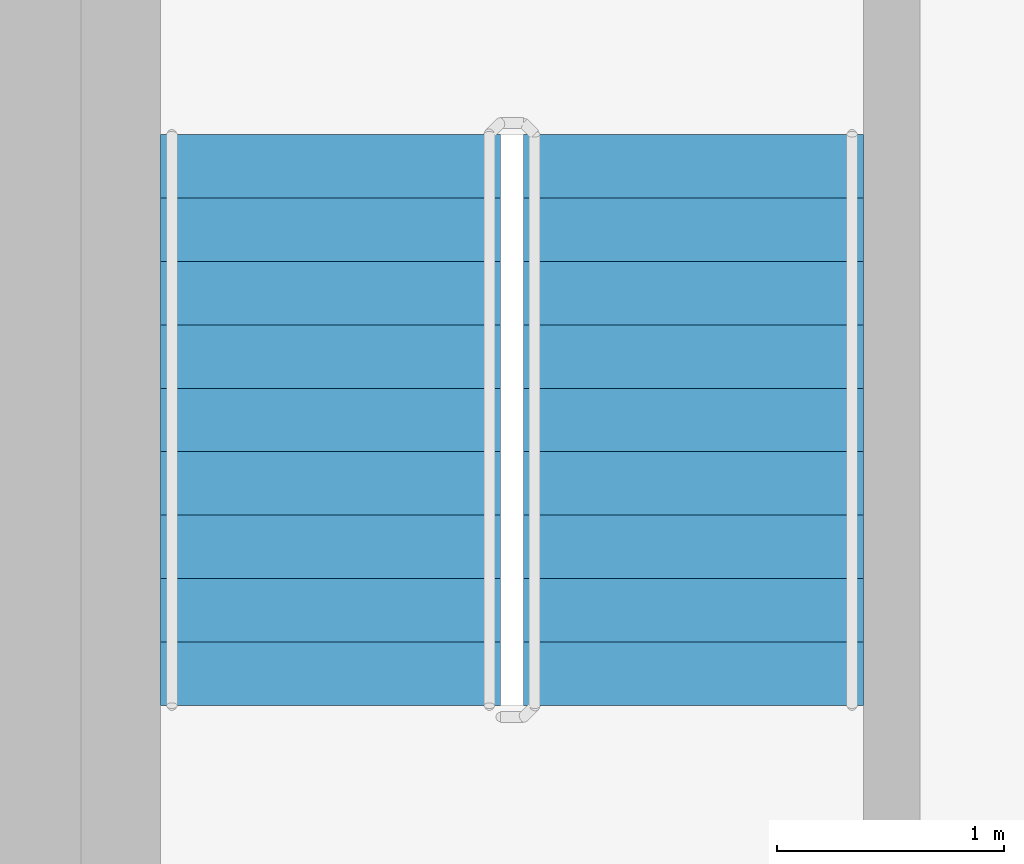
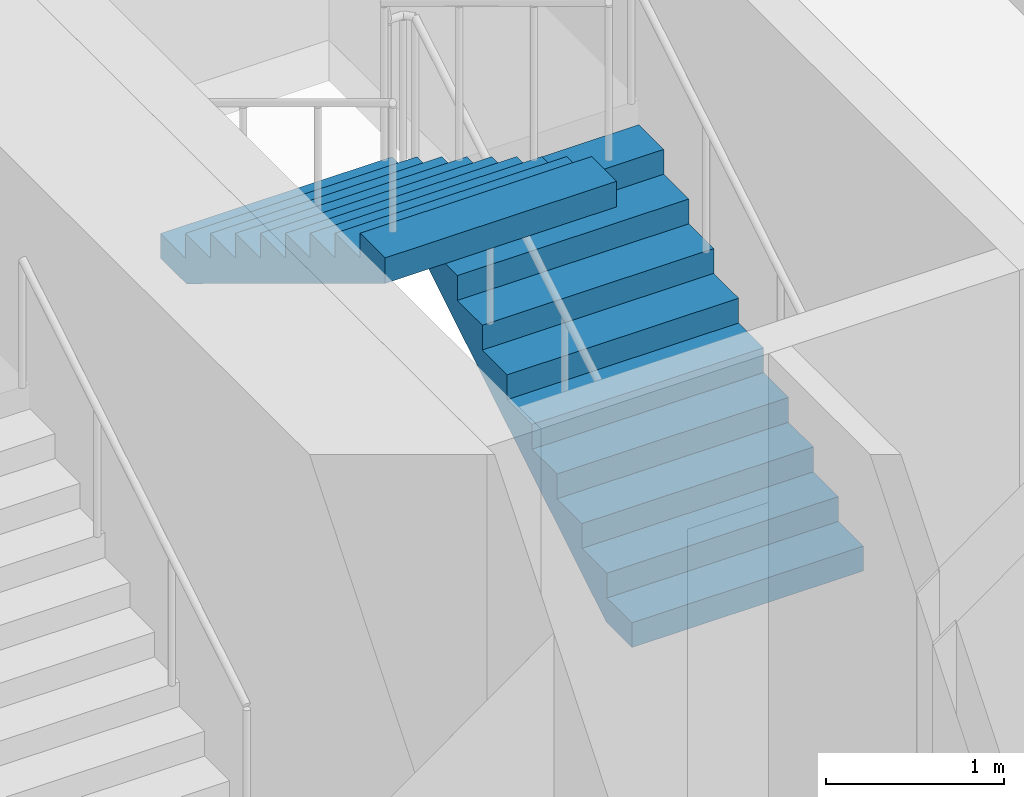
# One storey, part 14 of 24: 2 stair flights, 1 element without a shape of its own.
"""IFC4 building model written with IfcOpenShell, lengths in metres."""

import ifcopenshell
import ifcopenshell.guid

model = None  # the IFC model being written
_history = None  # IfcOwnerHistory: only IFC2X3 demands one
_inside = {}  # id of a spatial element -> (the spatial element, [elements in it])
_under = {}  # id of a project, library or spatial element -> (it, [spatial elements below it])
_declared = {}  # id of a project -> (the project, [libraries it declares])
_typed = {}  # id of a type object -> (the type object, [elements of that type])
_made_of = {}  # id of a material, layer set ... -> (it, [elements and type objects made of it])


def new_model(schema):
    """Start an empty IFC model of exactly this schema.

    Asked for "IFC4X3", IfcOpenShell would pick the latest addendum, in which some entities
    have other attributes; the version numbers below select the first issue.
    IFC2X3 requires an IfcOwnerHistory on every rooted entity: one is made here for all.
    """
    global model, _history
    if schema == "IFC4X3":
        model = ifcopenshell.file(schema_version=(4, 3, 0, 0))
    else:
        model = ifcopenshell.file(schema=schema)
    _inside.clear()
    _under.clear()
    _declared.clear()
    _typed.clear()
    _made_of.clear()
    _history = None
    if model.schema == "IFC2X3":
        org = make("IfcOrganization", Name="unknown")
        user = make(
            "IfcPersonAndOrganization",
            ThePerson=make("IfcPerson", FamilyName="unknown"),
            TheOrganization=org,
        )
        app = make(
            "IfcApplication",
            ApplicationDeveloper=org,
            Version="unknown",
            ApplicationFullName="unknown",
            ApplicationIdentifier="unknown",
        )
        _history = make(
            "IfcOwnerHistory",
            OwningUser=user,
            OwningApplication=app,
            ChangeAction="ADDED",
            CreationDate=0,
        )
    return model


def make(cls, **values):
    """One entity of the class cls with the attributes given. An attribute that is None is left unset."""
    return model.create_entity(
        cls, **{name: value for name, value in values.items() if value is not None}
    )


def rooted(cls, **values):
    """An entity with a GlobalId (a new one), such as an element, a storey or a relation."""
    return make(cls, GlobalId=ifcopenshell.guid.new(), OwnerHistory=_history, **values)


def si_unit(unit_type, name, prefix=None):
    """IfcSIUnit, for example si_unit("LENGTHUNIT", "METRE", prefix="MILLI")."""
    return make("IfcSIUnit", UnitType=unit_type, Prefix=prefix, Name=name)


def assignment(units):
    """IfcUnitAssignment: the units of a project."""
    return None if units is None else make("IfcUnitAssignment", Units=units)


def point(xyz):
    """IfcCartesianPoint."""
    return None if xyz is None else make("IfcCartesianPoint", Coordinates=xyz)


def direction(xyz):
    """IfcDirection."""
    return None if xyz is None else make("IfcDirection", DirectionRatios=xyz)


def frame(location, z_axis=None, x_axis=None):
    """IfcAxis2Placement3D, a coordinate frame: its origin and axes. An axis left out is left unset."""
    return make(
        "IfcAxis2Placement3D",
        Location=point(location),
        Axis=direction(z_axis),
        RefDirection=direction(x_axis),
    )


def origin():
    """The frame at (0, 0, 0) with its axes left unset."""
    return frame((0.0, 0.0, 0.0))


def place(relative_to, where):
    """IfcLocalPlacement: puts the frame where relative to a parent placement (None: the world)."""
    return make(
        "IfcLocalPlacement", PlacementRelTo=relative_to, RelativePlacement=where
    )


def context(
    kind, dimensions, precision=None, world=None, true_north=None, identifier=None
):
    """IfcGeometricRepresentationContext, for example the 3D "Model" context."""
    return make(
        "IfcGeometricRepresentationContext",
        ContextIdentifier=identifier,
        ContextType=kind,
        CoordinateSpaceDimension=dimensions,
        Precision=precision,
        WorldCoordinateSystem=world,
        TrueNorth=true_north,
    )


def subcontext(parent, identifier, kind, view, scale=None):
    """IfcGeometricRepresentationSubContext, for example "Body" below "Model"."""
    return make(
        "IfcGeometricRepresentationSubContext",
        ContextIdentifier=identifier,
        ContextType=kind,
        ParentContext=parent,
        TargetScale=scale,
        TargetView=view,
    )


def project(units=None, contexts=None):
    """IfcProject with its units and contexts."""
    return rooted(
        "IfcProject",
        Name="project",
        RepresentationContexts=contexts,
        UnitsInContext=assignment(units),
    )


def spatial(cls, under=None, at=None, **own):
    """A site, building, storey or space (cls), placed at a placement, below another one or the project."""
    s = rooted(cls, ObjectPlacement=at, **own)
    if under is not None:
        _under.setdefault(under.id(), (under, []))[1].append(s)
    return s


def point_list(points):
    """IfcCartesianPointList2D or 3D."""
    cls = (
        "IfcCartesianPointList2D" if len(points[0]) == 2 else "IfcCartesianPointList3D"
    )
    return make(cls, CoordList=points)


def triangles(points, corners, closed=None, point_numbers=None):
    """IfcTriangulatedFaceSet: each triangle names its three corners, points numbered from 1."""
    return make(
        "IfcTriangulatedFaceSet",
        Coordinates=point_list(points),
        Closed=closed,
        CoordIndex=corners,
        PnIndex=point_numbers,
    )


def shape(context_of_items, identifier, shape_type, items):
    """IfcShapeRepresentation: the items that make up one representation, for example the "Body"."""
    return make(
        "IfcShapeRepresentation",
        ContextOfItems=context_of_items,
        RepresentationIdentifier=identifier,
        RepresentationType=shape_type,
        Items=items,
    )


def source(mapping_origin, context_of_items, identifier, shape_type, items):
    """IfcRepresentationMap: a shape defined once, which mapped items show again and again."""
    return make(
        "IfcRepresentationMap",
        MappingOrigin=mapping_origin,
        MappedRepresentation=shape(context_of_items, identifier, shape_type, items),
    )


def transform(
    local_origin,
    x_axis=None,
    y_axis=None,
    z_axis=None,
    scale=None,
    scale2=None,
    scale3=None,
    uniform=True,
):
    """IfcCartesianTransformationOperator3D, or its non-uniform kind. x_axis, y_axis, z_axis: its Axis1, 2, 3."""
    if uniform:
        return make(
            "IfcCartesianTransformationOperator3D",
            Axis1=direction(x_axis),
            Axis2=direction(y_axis),
            LocalOrigin=point(local_origin),
            Scale=scale,
            Axis3=direction(z_axis),
        )
    return make(
        "IfcCartesianTransformationOperator3DnonUniform",
        Axis1=direction(x_axis),
        Axis2=direction(y_axis),
        LocalOrigin=point(local_origin),
        Scale=scale,
        Axis3=direction(z_axis),
        Scale2=scale2,
        Scale3=scale3,
    )


def mapped(mapping_source, mapping_target):
    """IfcMappedItem: shows the shape of a source again, moved by a transform."""
    return make(
        "IfcMappedItem", MappingSource=mapping_source, MappingTarget=mapping_target
    )


def material(Name=None, Category=None):
    """IfcMaterial."""
    return make("IfcMaterial", Name=Name, Category=Category)


def made_of(thing, what):
    """Note that an element or type object is made of a material, layer set ...; save() writes the relation."""
    if what is not None:
        _made_of.setdefault(what.id(), (what, []))[1].append(thing)
    return thing


def type_object(cls, material=None, **own):
    """A type object (cls), such as IfcWallType, which elements share."""
    return made_of(rooted(cls, **own), material)


def element(
    cls,
    number,
    at=None,
    inside=None,
    cuts=None,
    type_object=None,
    material=None,
    context=None,
    identifier="Body",
    shape_type=None,
    held_by="IfcProductDefinitionShape",
    body=None,
    shapes=None,
    **own,
):
    """One element of the class cls, such as IfcWall. Its Tag is "e" and its number.

    at: its placement. inside: the storey or other place that contains it. cuts: it is an
    opening in that element (IfcRelVoidsElement). A single representation is given by context,
    identifier, shape_type and body (its items); several are given by shapes. held_by: the class
    of the entity that holds the representations. save() writes the other relations.
    """
    e = rooted(cls, Tag="e%d" % number, ObjectPlacement=at, **own)
    if body is not None:
        shapes = [shape(context, identifier, shape_type, body)]
    if shapes is not None:
        e.Representation = make(held_by, Representations=shapes)
    if inside is not None:
        _inside.setdefault(inside.id(), (inside, []))[1].append(e)
    if cuts is not None:
        rooted(
            "IfcRelVoidsElement", RelatingBuildingElement=cuts, RelatedOpeningElement=e
        )
    if type_object is not None:
        _typed.setdefault(type_object.id(), (type_object, []))[1].append(e)
    return made_of(e, material)


def aggregate(whole, parts):
    """IfcRelAggregates: a whole, such as a stair, and the parts it consists of."""
    return rooted("IfcRelAggregates", RelatingObject=whole, RelatedObjects=parts)


def save(model, path):
    """Write the relations noted so far, then the file.

    IfcRelAggregates (storeys below a building ...), IfcRelContainedInSpatialStructure (elements
    in a storey), IfcRelDefinesByType, IfcRelAssociatesMaterial and IfcRelDeclares: one each for
    every whole, place, type object, material and project.
    """
    for whole, parts in _under.values():
        aggregate(whole, parts)
    for where, things in _inside.values():
        rooted(
            "IfcRelContainedInSpatialStructure",
            RelatedElements=things,
            RelatingStructure=where,
        )
    for kind, things in _typed.values():
        rooted("IfcRelDefinesByType", RelatedObjects=things, RelatingType=kind)
    for what, things in _made_of.values():
        rooted("IfcRelAssociatesMaterial", RelatedObjects=things, RelatingMaterial=what)
    for by, libraries in _declared.values():
        rooted("IfcRelDeclares", RelatingContext=by, RelatedDefinitions=libraries)
    model.write(path)


model = new_model("IFC4")

# Units and contexts
model_context = context("Model", 3, precision=1e-05, world=origin(), true_north=direction((0.0, 1.0)))
body_context = subcontext(model_context, "Body", "Model", "MODEL_VIEW")
ifc_project = project(units=[si_unit("LENGTHUNIT", "METRE"), si_unit("AREAUNIT", "SQUARE_METRE"), si_unit("VOLUMEUNIT", "CUBIC_METRE"), si_unit("PLANEANGLEUNIT", "RADIAN"), si_unit("MASSUNIT", "GRAM", prefix="KILO")], contexts=[model_context])

# Site, building, storey
site_placement = place(None, origin())
site = spatial("IfcSite", under=ifc_project, at=site_placement, CompositionType="ELEMENT")
building_placement = place(site_placement, origin())
building = spatial("IfcBuilding", under=site, at=building_placement, Name="Kilnfold Tower and Market Hall", CompositionType="ELEMENT")
storey_placement = place(building_placement, frame((0.0, 0.0, 175.300048828125)))
storey = spatial("IfcBuildingStorey", under=building, at=storey_placement, Name="L41", CompositionType="ELEMENT", Elevation=175.300048828125)

# Stair, stair flights
ifc_material_1 = material(Name="Concrete C40/50", Category="concrete")
stair_type = type_object("IfcStairType", Name="CORE STAIR 1500", PredefinedType="HALF_TURN_STAIR", material=ifc_material_1)
stair_placement = place(storey_placement, origin())
stair = element("IfcStair", 1, at=stair_placement, inside=storey, type_object=stair_type, Name="L41 ST5", PredefinedType="HALF_TURN_STAIR")
ifc_material_2 = material(Name="Concrete C40/50", Category="concrete")
stair_flight_type = type_object("IfcStairFlightType", Name="CORE STAIR FLIGHT 1500", PredefinedType="STRAIGHT", material=ifc_material_2)
shared_shape = source(origin(), body_context, "Body", "Tessellation", [
    triangles([(0.0, 0.75, 0.0), (0.0, 0.65625, 0.0), (0.0, 0.5625, 0.0), (0.0, 0.46875, 0.0), (0.0, 0.375, 0.0), (0.0, 0.28125, 0.0), (0.0, 0.1875, 0.0), (0.0, 0.09375, 0.0), (0.0, 0.0, 0.0), (0.0, -0.09375, 0.0), (0.0, -0.1875, 0.0), (0.0, -0.28125, 0.0), (0.0, -0.375, 0.0), (0.0, -0.46875, 0.0), (0.0, -0.5625, 0.0), (0.0, -0.65625, 0.0), (0.0, -0.75, 0.0), (0.0, 0.75, 0.169921875), (0.0, 0.65625, 0.169921875), (0.0, 0.5625, 0.169921875), (0.0, 0.46875, 0.169921875), (0.0, 0.375, 0.169921875), (0.0, 0.28125, 0.169921875), (0.0, 0.1875, 0.169921875), (0.0, 0.09375, 0.169921875), (0.0, 0.0, 0.169921875), (0.0, -0.09375, 0.169921875), (0.0, -0.1875, 0.169921875), (0.0, -0.28125, 0.169921875), (0.0, -0.375, 0.169921875), (0.0, -0.46875, 0.169921875), (0.0, -0.5625, 0.169921875), (0.0, -0.65625, 0.169921875), (0.0, -0.75, 0.169921875), (0.280029296875, 0.75, 0.169921875), (0.280029296875, 0.65625, 0.169921875), (0.280029296875, 0.5625, 0.169921875), (0.280029296875, 0.46875, 0.169921875), (0.280029296875, 0.375, 0.169921875), (0.280029296875, 0.28125, 0.169921875), (0.280029296875, 0.1875, 0.169921875), (0.280029296875, 0.09375, 0.169921875), (0.280029296875, 0.0, 0.169921875), (0.280029296875, -0.09375, 0.169921875), (0.280029296875, -0.1875, 0.169921875), (0.280029296875, -0.28125, 0.169921875), (0.280029296875, -0.375, 0.169921875), (0.280029296875, -0.46875, 0.169921875), (0.280029296875, -0.5625, 0.169921875), (0.280029296875, -0.65625, 0.169921875), (0.280029296875, -0.75, 0.169921875), (0.280029296875, 0.75, 0.340087890625), (0.280029296875, 0.65625, 0.340087890625), (0.280029296875, 0.5625, 0.340087890625), (0.280029296875, 0.46875, 0.340087890625), (0.280029296875, 0.375, 0.340087890625), (0.280029296875, 0.28125, 0.340087890625), (0.280029296875, 0.1875, 0.340087890625), (0.280029296875, 0.09375, 0.340087890625), (0.280029296875, 0.0, 0.340087890625), (0.280029296875, -0.09375, 0.340087890625), (0.280029296875, -0.1875, 0.340087890625), (0.280029296875, -0.28125, 0.340087890625), (0.280029296875, -0.375, 0.340087890625), (0.280029296875, -0.46875, 0.340087890625), (0.280029296875, -0.5625, 0.340087890625), (0.280029296875, -0.65625, 0.340087890625), (0.280029296875, -0.75, 0.340087890625), (0.56005859375, 0.75, 0.340087890625), (0.56005859375, 0.65625, 0.340087890625), (0.56005859375, 0.5625, 0.340087890625), (0.56005859375, 0.46875, 0.340087890625), (0.56005859375, 0.375, 0.340087890625), (0.56005859375, 0.28125, 0.340087890625), (0.56005859375, 0.1875, 0.340087890625), (0.56005859375, 0.09375, 0.340087890625), (0.56005859375, 0.0, 0.340087890625), (0.56005859375, -0.09375, 0.340087890625), (0.56005859375, -0.1875, 0.340087890625), (0.56005859375, -0.28125, 0.340087890625), (0.56005859375, -0.375, 0.340087890625), (0.56005859375, -0.46875, 0.340087890625), (0.56005859375, -0.5625, 0.340087890625), (0.56005859375, -0.65625, 0.340087890625), (0.56005859375, -0.75, 0.340087890625), (0.56005859375, 0.75, 0.510009765625), (0.56005859375, 0.65625, 0.510009765625), (0.56005859375, 0.5625, 0.510009765625), (0.56005859375, 0.46875, 0.510009765625), (0.56005859375, 0.375, 0.510009765625), (0.56005859375, 0.28125, 0.510009765625), (0.56005859375, 0.1875, 0.510009765625), (0.56005859375, 0.09375, 0.510009765625), (0.56005859375, 0.0, 0.510009765625), (0.56005859375, -0.09375, 0.510009765625), (0.56005859375, -0.1875, 0.510009765625), (0.56005859375, -0.28125, 0.510009765625), (0.56005859375, -0.375, 0.510009765625), (0.56005859375, -0.46875, 0.510009765625), (0.56005859375, -0.5625, 0.510009765625), (0.56005859375, -0.65625, 0.510009765625), (0.56005859375, -0.75, 0.510009765625), (0.840087890625, 0.75, 0.510009765625), (0.840087890625, 0.65625, 0.510009765625), (0.840087890625, 0.5625, 0.510009765625), (0.840087890625, 0.46875, 0.510009765625), (0.840087890625, 0.375, 0.510009765625), (0.840087890625, 0.28125, 0.510009765625), (0.840087890625, 0.1875, 0.510009765625), (0.840087890625, 0.09375, 0.510009765625), (0.840087890625, 0.0, 0.510009765625), (0.840087890625, -0.09375, 0.510009765625), (0.840087890625, -0.1875, 0.510009765625), (0.840087890625, -0.28125, 0.510009765625), (0.840087890625, -0.375, 0.510009765625), (0.840087890625, -0.46875, 0.510009765625), (0.840087890625, -0.5625, 0.510009765625), (0.840087890625, -0.65625, 0.510009765625), (0.840087890625, -0.75, 0.510009765625), (0.840087890625, 0.75, 0.679931640625), (0.840087890625, 0.65625, 0.679931640625), (0.840087890625, 0.5625, 0.679931640625), (0.840087890625, 0.46875, 0.679931640625), (0.840087890625, 0.375, 0.679931640625), (0.840087890625, 0.28125, 0.679931640625), (0.840087890625, 0.1875, 0.679931640625), (0.840087890625, 0.09375, 0.679931640625), (0.840087890625, 0.0, 0.679931640625), (0.840087890625, -0.09375, 0.679931640625), (0.840087890625, -0.1875, 0.679931640625), (0.840087890625, -0.28125, 0.679931640625), (0.840087890625, -0.375, 0.679931640625), (0.840087890625, -0.46875, 0.679931640625), (0.840087890625, -0.5625, 0.679931640625), (0.840087890625, -0.65625, 0.679931640625), (0.840087890625, -0.75, 0.679931640625), (1.1201171875, 0.75, 0.679931640625), (1.1201171875, 0.65625, 0.679931640625), (1.1201171875, 0.5625, 0.679931640625), (1.1201171875, 0.46875, 0.679931640625), (1.1201171875, 0.375, 0.679931640625), (1.1201171875, 0.28125, 0.679931640625), (1.1201171875, 0.1875, 0.679931640625), (1.1201171875, 0.09375, 0.679931640625), (1.1201171875, 0.0, 0.679931640625), (1.1201171875, -0.09375, 0.679931640625), (1.1201171875, -0.1875, 0.679931640625), (1.1201171875, -0.28125, 0.679931640625), (1.1201171875, -0.375, 0.679931640625), (1.1201171875, -0.46875, 0.679931640625), (1.1201171875, -0.5625, 0.679931640625), (1.1201171875, -0.65625, 0.679931640625), (1.1201171875, -0.75, 0.679931640625), (1.1201171875, 0.75, 0.85009765625), (1.1201171875, 0.65625, 0.85009765625), (1.1201171875, 0.5625, 0.85009765625), (1.1201171875, 0.46875, 0.85009765625), (1.1201171875, 0.375, 0.85009765625), (1.1201171875, 0.28125, 0.85009765625), (1.1201171875, 0.1875, 0.85009765625), (1.1201171875, 0.09375, 0.85009765625), (1.1201171875, 0.0, 0.85009765625), (1.1201171875, -0.09375, 0.85009765625), (1.1201171875, -0.1875, 0.85009765625), (1.1201171875, -0.28125, 0.85009765625), (1.1201171875, -0.375, 0.85009765625), (1.1201171875, -0.46875, 0.85009765625), (1.1201171875, -0.5625, 0.85009765625), (1.1201171875, -0.65625, 0.85009765625), (1.1201171875, -0.75, 0.85009765625), (1.39990234375, 0.75, 0.85009765625), (1.39990234375, 0.65625, 0.85009765625), (1.39990234375, 0.5625, 0.85009765625), (1.39990234375, 0.46875, 0.85009765625), (1.39990234375, 0.375, 0.85009765625), (1.39990234375, 0.28125, 0.85009765625), (1.39990234375, 0.1875, 0.85009765625), (1.39990234375, 0.09375, 0.85009765625), (1.39990234375, 0.0, 0.85009765625), (1.39990234375, -0.09375, 0.85009765625), (1.39990234375, -0.1875, 0.85009765625), (1.39990234375, -0.28125, 0.85009765625), (1.39990234375, -0.375, 0.85009765625), (1.39990234375, -0.46875, 0.85009765625), (1.39990234375, -0.5625, 0.85009765625), (1.39990234375, -0.65625, 0.85009765625), (1.39990234375, -0.75, 0.85009765625), (1.39990234375, 0.75, 1.02001953125), (1.39990234375, 0.65625, 1.02001953125), (1.39990234375, 0.5625, 1.02001953125), (1.39990234375, 0.46875, 1.02001953125), (1.39990234375, 0.375, 1.02001953125), (1.39990234375, 0.28125, 1.02001953125), (1.39990234375, 0.1875, 1.02001953125), (1.39990234375, 0.09375, 1.02001953125), (1.39990234375, 0.0, 1.02001953125), (1.39990234375, -0.09375, 1.02001953125), (1.39990234375, -0.1875, 1.02001953125), (1.39990234375, -0.28125, 1.02001953125), (1.39990234375, -0.375, 1.02001953125), (1.39990234375, -0.46875, 1.02001953125), (1.39990234375, -0.5625, 1.02001953125), (1.39990234375, -0.65625, 1.02001953125), (1.39990234375, -0.75, 1.02001953125), (1.679931640625, 0.75, 1.02001953125), (1.679931640625, 0.65625, 1.02001953125), (1.679931640625, 0.5625, 1.02001953125), (1.679931640625, 0.46875, 1.02001953125), (1.679931640625, 0.375, 1.02001953125), (1.679931640625, 0.28125, 1.02001953125), (1.679931640625, 0.1875, 1.02001953125), (1.679931640625, 0.09375, 1.02001953125), (1.679931640625, 0.0, 1.02001953125), (1.679931640625, -0.09375, 1.02001953125), (1.679931640625, -0.1875, 1.02001953125), (1.679931640625, -0.28125, 1.02001953125), (1.679931640625, -0.375, 1.02001953125), (1.679931640625, -0.46875, 1.02001953125), (1.679931640625, -0.5625, 1.02001953125), (1.679931640625, -0.65625, 1.02001953125), (1.679931640625, -0.75, 1.02001953125), (1.679931640625, 0.75, 1.18994140625), (1.679931640625, 0.65625, 1.18994140625), (1.679931640625, 0.5625, 1.18994140625), (1.679931640625, 0.46875, 1.18994140625), (1.679931640625, 0.375, 1.18994140625), (1.679931640625, 0.28125, 1.18994140625), (1.679931640625, 0.1875, 1.18994140625), (1.679931640625, 0.09375, 1.18994140625), (1.679931640625, 0.0, 1.18994140625), (1.679931640625, -0.09375, 1.18994140625), (1.679931640625, -0.1875, 1.18994140625), (1.679931640625, -0.28125, 1.18994140625), (1.679931640625, -0.375, 1.18994140625), (1.679931640625, -0.46875, 1.18994140625), (1.679931640625, -0.5625, 1.18994140625), (1.679931640625, -0.65625, 1.18994140625), (1.679931640625, -0.75, 1.18994140625), (1.9599609375, 0.75, 1.18994140625), (1.9599609375, 0.65625, 1.18994140625), (1.9599609375, 0.5625, 1.18994140625), (1.9599609375, 0.46875, 1.18994140625), (1.9599609375, 0.375, 1.18994140625), (1.9599609375, 0.28125, 1.18994140625), (1.9599609375, 0.1875, 1.18994140625), (1.9599609375, 0.09375, 1.18994140625), (1.9599609375, 0.0, 1.18994140625), (1.9599609375, -0.09375, 1.18994140625), (1.9599609375, -0.1875, 1.18994140625), (1.9599609375, -0.28125, 1.18994140625), (1.9599609375, -0.375, 1.18994140625), (1.9599609375, -0.46875, 1.18994140625), (1.9599609375, -0.5625, 1.18994140625), (1.9599609375, -0.65625, 1.18994140625), (1.9599609375, -0.75, 1.18994140625), (1.9599609375, 0.75, 1.360107421875), (1.9599609375, 0.65625, 1.360107421875), (1.9599609375, 0.5625, 1.360107421875), (1.9599609375, 0.46875, 1.360107421875), (1.9599609375, 0.375, 1.360107421875), (1.9599609375, 0.28125, 1.360107421875), (1.9599609375, 0.1875, 1.360107421875), (1.9599609375, 0.09375, 1.360107421875), (1.9599609375, 0.0, 1.360107421875), (1.9599609375, -0.09375, 1.360107421875), (1.9599609375, -0.1875, 1.360107421875), (1.9599609375, -0.28125, 1.360107421875), (1.9599609375, -0.375, 1.360107421875), (1.9599609375, -0.46875, 1.360107421875), (1.9599609375, -0.5625, 1.360107421875), (1.9599609375, -0.65625, 1.360107421875), (1.9599609375, -0.75, 1.360107421875), (2.239990234375, 0.75, 1.360107421875), (2.239990234375, 0.65625, 1.360107421875), (2.239990234375, 0.5625, 1.360107421875), (2.239990234375, 0.46875, 1.360107421875), (2.239990234375, 0.375, 1.360107421875), (2.239990234375, 0.28125, 1.360107421875), (2.239990234375, 0.1875, 1.360107421875), (2.239990234375, 0.09375, 1.360107421875), (2.239990234375, 0.0, 1.360107421875), (2.239990234375, -0.09375, 1.360107421875), (2.239990234375, -0.1875, 1.360107421875), (2.239990234375, -0.28125, 1.360107421875), (2.239990234375, -0.375, 1.360107421875), (2.239990234375, -0.46875, 1.360107421875), (2.239990234375, -0.5625, 1.360107421875), (2.239990234375, -0.65625, 1.360107421875), (2.239990234375, -0.75, 1.360107421875), (2.239990234375, 0.75, 1.530029296875), (2.239990234375, 0.65625, 1.530029296875), (2.239990234375, 0.5625, 1.530029296875), (2.239990234375, 0.46875, 1.530029296875), (2.239990234375, 0.375, 1.530029296875), (2.239990234375, 0.28125, 1.530029296875), (2.239990234375, 0.1875, 1.530029296875), (2.239990234375, 0.09375, 1.530029296875), (2.239990234375, 0.0, 1.530029296875), (2.239990234375, -0.09375, 1.530029296875), (2.239990234375, -0.1875, 1.530029296875), (2.239990234375, -0.28125, 1.530029296875), (2.239990234375, -0.375, 1.530029296875), (2.239990234375, -0.46875, 1.530029296875), (2.239990234375, -0.5625, 1.530029296875), (2.239990234375, -0.65625, 1.530029296875), (2.239990234375, -0.75, 1.530029296875), (2.52001953125, 0.75, 1.530029296875), (2.52001953125, 0.65625, 1.530029296875), (2.52001953125, 0.5625, 1.530029296875), (2.52001953125, 0.46875, 1.530029296875), (2.52001953125, 0.375, 1.530029296875), (2.52001953125, 0.28125, 1.530029296875), (2.52001953125, 0.1875, 1.530029296875), (2.52001953125, 0.09375, 1.530029296875), (2.52001953125, 0.0, 1.530029296875), (2.52001953125, -0.09375, 1.530029296875), (2.52001953125, -0.1875, 1.530029296875), (2.52001953125, -0.28125, 1.530029296875), (2.52001953125, -0.375, 1.530029296875), (2.52001953125, -0.46875, 1.530029296875), (2.52001953125, -0.5625, 1.530029296875), (2.52001953125, -0.65625, 1.530029296875), (2.52001953125, -0.75, 1.530029296875), (2.52001953125, 0.75, 1.354736328125), (2.52001953125, 0.65625, 1.354736328125), (2.52001953125, 0.5625, 1.354736328125), (2.52001953125, 0.46875, 1.354736328125), (2.52001953125, 0.375, 1.354736328125), (2.52001953125, 0.28125, 1.354736328125), (2.52001953125, 0.1875, 1.354736328125), (2.52001953125, 0.09375, 1.354736328125), (2.52001953125, 0.0, 1.354736328125), (2.52001953125, -0.09375, 1.354736328125), (2.52001953125, -0.1875, 1.354736328125), (2.52001953125, -0.28125, 1.354736328125), (2.52001953125, -0.375, 1.354736328125), (2.52001953125, -0.46875, 1.354736328125), (2.52001953125, -0.5625, 1.354736328125), (2.52001953125, -0.65625, 1.354736328125), (2.52001953125, -0.75, 1.354736328125), (0.288818359375, 0.75, 0.0), (0.288818359375, 0.65625, 0.0), (0.288818359375, 0.5625, 0.0), (0.288818359375, 0.46875, 0.0), (0.288818359375, 0.375, 0.0), (0.288818359375, 0.28125, 0.0), (0.288818359375, 0.1875, 0.0), (0.288818359375, 0.09375, 0.0), (0.288818359375, 0.0, 0.0), (0.288818359375, -0.09375, 0.0), (0.288818359375, -0.1875, 0.0), (0.288818359375, -0.28125, 0.0), (0.288818359375, -0.375, 0.0), (0.288818359375, -0.46875, 0.0), (0.288818359375, -0.5625, 0.0), (0.288818359375, -0.65625, 0.0), (0.288818359375, -0.75, 0.0)], [[1, 324, 341], [17, 357, 340], [324, 290, 307], [340, 323, 306], [324, 273, 290], [340, 306, 289], [324, 256, 273], [340, 289, 272], [324, 239, 256], [340, 272, 255], [239, 205, 222], [255, 238, 221], [324, 205, 239], [340, 255, 221], [205, 171, 188], [221, 204, 187], [324, 171, 205], [340, 221, 187], [171, 137, 154], [187, 170, 153], [324, 137, 171], [340, 187, 153], [137, 103, 120], [153, 136, 119], [324, 103, 137], [340, 153, 119], [103, 69, 86], [119, 102, 85], [324, 69, 103], [340, 119, 85], [69, 35, 52], [85, 68, 51], [324, 35, 69], [340, 85, 51], [1, 35, 324], [17, 340, 51], [35, 1, 18], [51, 34, 17], [1, 19, 18], [1, 2, 19], [2, 20, 19], [2, 3, 20], [3, 21, 20], [3, 4, 21], [4, 22, 21], [4, 5, 22], [5, 23, 22], [5, 6, 23], [6, 24, 23], [6, 7, 24], [7, 25, 24], [7, 8, 25], [8, 26, 25], [8, 9, 26], [9, 27, 26], [9, 10, 27], [10, 28, 27], [10, 11, 28], [11, 29, 28], [11, 12, 29], [12, 30, 29], [12, 13, 30], [13, 31, 30], [13, 14, 31], [14, 32, 31], [14, 15, 32], [15, 33, 32], [15, 16, 33], [16, 34, 33], [16, 17, 34], [18, 36, 35], [18, 19, 36], [19, 37, 36], [19, 20, 37], [20, 38, 37], [20, 21, 38], [21, 39, 38], [21, 22, 39], [22, 40, 39], [22, 23, 40], [23, 41, 40], [23, 24, 41], [24, 42, 41], [24, 25, 42], [25, 43, 42], [25, 26, 43], [26, 44, 43], [26, 27, 44], [27, 45, 44], [27, 28, 45], [28, 46, 45], [28, 29, 46], [29, 47, 46], [29, 30, 47], [30, 48, 47], [30, 31, 48], [31, 49, 48], [31, 32, 49], [32, 50, 49], [32, 33, 50], [33, 51, 50], [33, 34, 51], [35, 53, 52], [35, 36, 53], [36, 54, 53], [36, 37, 54], [37, 55, 54], [37, 38, 55], [38, 56, 55], [38, 39, 56], [39, 57, 56], [39, 40, 57], [40, 58, 57], [40, 41, 58], [41, 59, 58], [41, 42, 59], [42, 60, 59], [42, 43, 60], [43, 61, 60], [43, 44, 61], [44, 62, 61], [44, 45, 62], [45, 63, 62], [45, 46, 63], [46, 64, 63], [46, 47, 64], [47, 65, 64], [47, 48, 65], [48, 66, 65], [48, 49, 66], [49, 67, 66], [49, 50, 67], [50, 68, 67], [50, 51, 68], [52, 70, 69], [52, 53, 70], [53, 71, 70], [53, 54, 71], [54, 72, 71], [54, 55, 72], [55, 73, 72], [55, 56, 73], [56, 74, 73], [56, 57, 74], [57, 75, 74], [57, 58, 75], [58, 76, 75], [58, 59, 76], [59, 77, 76], [59, 60, 77], [60, 78, 77], [60, 61, 78], [61, 79, 78], [61, 62, 79], [62, 80, 79], [62, 63, 80], [63, 81, 80], [63, 64, 81], [64, 82, 81], [64, 65, 82], [65, 83, 82], [65, 66, 83], [66, 84, 83], [66, 67, 84], [67, 85, 84], [67, 68, 85], [69, 87, 86], [69, 70, 87], [70, 88, 87], [70, 71, 88], [71, 89, 88], [71, 72, 89], [72, 90, 89], [72, 73, 90], [73, 91, 90], [73, 74, 91], [74, 92, 91], [74, 75, 92], [75, 93, 92], [75, 76, 93], [76, 94, 93], [76, 77, 94], [77, 95, 94], [77, 78, 95], [78, 96, 95], [78, 79, 96], [79, 97, 96], [79, 80, 97], [80, 98, 97], [80, 81, 98], [81, 99, 98], [81, 82, 99], [82, 100, 99], [82, 83, 100], [83, 101, 100], [83, 84, 101], [84, 102, 101], [84, 85, 102], [86, 104, 103], [86, 87, 104], [87, 105, 104], [87, 88, 105], [88, 106, 105], [88, 89, 106], [89, 107, 106], [89, 90, 107], [90, 108, 107], [90, 91, 108], [91, 109, 108], [91, 92, 109], [92, 110, 109], [92, 93, 110], [93, 111, 110], [93, 94, 111], [94, 112, 111], [94, 95, 112], [95, 113, 112], [95, 96, 113], [96, 114, 113], [96, 97, 114], [97, 115, 114], [97, 98, 115], [98, 116, 115], [98, 99, 116], [99, 117, 116], [99, 100, 117], [100, 118, 117], [100, 101, 118], [101, 119, 118], [101, 102, 119], [103, 121, 120], [103, 104, 121], [104, 122, 121], [104, 105, 122], [105, 123, 122], [105, 106, 123], [106, 124, 123], [106, 107, 124], [107, 125, 124], [107, 108, 125], [108, 126, 125], [108, 109, 126], [109, 127, 126], [109, 110, 127], [110, 128, 127], [110, 111, 128], [111, 129, 128], [111, 112, 129], [112, 130, 129], [112, 113, 130], [113, 131, 130], [113, 114, 131], [114, 132, 131], [114, 115, 132], [115, 133, 132], [115, 116, 133], [116, 134, 133], [116, 117, 134], [117, 135, 134], [117, 118, 135], [118, 136, 135], [118, 119, 136], [120, 138, 137], [120, 121, 138], [121, 139, 138], [121, 122, 139], [122, 140, 139], [122, 123, 140], [123, 141, 140], [123, 124, 141], [124, 142, 141], [124, 125, 142], [125, 143, 142], [125, 126, 143], [126, 144, 143], [126, 127, 144], [127, 145, 144], [127, 128, 145], [128, 146, 145], [128, 129, 146], [129, 147, 146], [129, 130, 147], [130, 148, 147], [130, 131, 148], [131, 149, 148], [131, 132, 149], [132, 150, 149], [132, 133, 150], [133, 151, 150], [133, 134, 151], [134, 152, 151], [134, 135, 152], [135, 153, 152], [135, 136, 153], [137, 155, 154], [137, 138, 155], [138, 156, 155], [138, 139, 156], [139, 157, 156], [139, 140, 157], [140, 158, 157], [140, 141, 158], [141, 159, 158], [141, 142, 159], [142, 160, 159], [142, 143, 160], [143, 161, 160], [143, 144, 161], [144, 162, 161], [144, 145, 162], [145, 163, 162], [145, 146, 163], [146, 164, 163], [146, 147, 164], [147, 165, 164], [147, 148, 165], [148, 166, 165], [148, 149, 166], [149, 167, 166], [149, 150, 167], [150, 168, 167], [150, 151, 168], [151, 169, 168], [151, 152, 169], [152, 170, 169], [152, 153, 170], [154, 172, 171], [154, 155, 172], [155, 173, 172], [155, 156, 173], [156, 174, 173], [156, 157, 174], [157, 175, 174], [157, 158, 175], [158, 176, 175], [158, 159, 176], [159, 177, 176], [159, 160, 177], [160, 178, 177], [160, 161, 178], [161, 179, 178], [161, 162, 179], [162, 180, 179], [162, 163, 180], [163, 181, 180], [163, 164, 181], [164, 182, 181], [164, 165, 182], [165, 183, 182], [165, 166, 183], [166, 184, 183], [166, 167, 184], [167, 185, 184], [167, 168, 185], [168, 186, 185], [168, 169, 186], [169, 187, 186], [169, 170, 187], [171, 189, 188], [171, 172, 189], [172, 190, 189], [172, 173, 190], [173, 191, 190], [173, 174, 191], [174, 192, 191], [174, 175, 192], [175, 193, 192], [175, 176, 193], [176, 194, 193], [176, 177, 194], [177, 195, 194], [177, 178, 195], [178, 196, 195], [178, 179, 196], [179, 197, 196], [179, 180, 197], [180, 198, 197], [180, 181, 198], [181, 199, 198], [181, 182, 199], [182, 200, 199], [182, 183, 200], [183, 201, 200], [183, 184, 201], [184, 202, 201], [184, 185, 202], [185, 203, 202], [185, 186, 203], [186, 204, 203], [186, 187, 204], [188, 206, 205], [188, 189, 206], [189, 207, 206], [189, 190, 207], [190, 208, 207], [190, 191, 208], [191, 209, 208], [191, 192, 209], [192, 210, 209], [192, 193, 210], [193, 211, 210], [193, 194, 211], [194, 212, 211], [194, 195, 212], [195, 213, 212], [195, 196, 213], [196, 214, 213], [196, 197, 214], [197, 215, 214], [197, 198, 215], [198, 216, 215], [198, 199, 216], [199, 217, 216], [199, 200, 217], [200, 218, 217], [200, 201, 218], [201, 219, 218], [201, 202, 219], [202, 220, 219], [202, 203, 220], [203, 221, 220], [203, 204, 221], [205, 223, 222], [205, 206, 223], [206, 224, 223], [206, 207, 224], [207, 225, 224], [207, 208, 225], [208, 226, 225], [208, 209, 226], [209, 227, 226], [209, 210, 227], [210, 228, 227], [210, 211, 228], [211, 229, 228], [211, 212, 229], [212, 230, 229], [212, 213, 230], [213, 231, 230], [213, 214, 231], [214, 232, 231], [214, 215, 232], [215, 233, 232], [215, 216, 233], [216, 234, 233], [216, 217, 234], [217, 235, 234], [217, 218, 235], [218, 236, 235], [218, 219, 236], [219, 237, 236], [219, 220, 237], [220, 238, 237], [220, 221, 238], [222, 240, 239], [222, 223, 240], [223, 241, 240], [223, 224, 241], [224, 242, 241], [224, 225, 242], [225, 243, 242], [225, 226, 243], [226, 244, 243], [226, 227, 244], [227, 245, 244], [227, 228, 245], [228, 246, 245], [228, 229, 246], [229, 247, 246], [229, 230, 247], [230, 248, 247], [230, 231, 248], [231, 249, 248], [231, 232, 249], [232, 250, 249], [232, 233, 250], [233, 251, 250], [233, 234, 251], [234, 252, 251], [234, 235, 252], [235, 253, 252], [235, 236, 253], [236, 254, 253], [236, 237, 254], [237, 255, 254], [237, 238, 255], [239, 257, 256], [239, 240, 257], [240, 258, 257], [240, 241, 258], [241, 259, 258], [241, 242, 259], [242, 260, 259], [242, 243, 260], [243, 261, 260], [243, 244, 261], [244, 262, 261], [244, 245, 262], [245, 263, 262], [245, 246, 263], [246, 264, 263], [246, 247, 264], [247, 265, 264], [247, 248, 265], [248, 266, 265], [248, 249, 266], [249, 267, 266], [249, 250, 267], [250, 268, 267], [250, 251, 268], [251, 269, 268], [251, 252, 269], [252, 270, 269], [252, 253, 270], [253, 271, 270], [253, 254, 271], [254, 272, 271], [254, 255, 272], [256, 274, 273], [256, 257, 274], [257, 275, 274], [257, 258, 275], [258, 276, 275], [258, 259, 276], [259, 277, 276], [259, 260, 277], [260, 278, 277], [260, 261, 278], [261, 279, 278], [261, 262, 279], [262, 280, 279], [262, 263, 280], [263, 281, 280], [263, 264, 281], [264, 282, 281], [264, 265, 282], [265, 283, 282], [265, 266, 283], [266, 284, 283], [266, 267, 284], [267, 285, 284], [267, 268, 285], [268, 286, 285], [268, 269, 286], [269, 287, 286], [269, 270, 287], [270, 288, 287], [270, 271, 288], [271, 289, 288], [271, 272, 289], [273, 291, 290], [273, 274, 291], [274, 292, 291], [274, 275, 292], [275, 293, 292], [275, 276, 293], [276, 294, 293], [276, 277, 294], [277, 295, 294], [277, 278, 295], [278, 296, 295], [278, 279, 296], [279, 297, 296], [279, 280, 297], [280, 298, 297], [280, 281, 298], [281, 299, 298], [281, 282, 299], [282, 300, 299], [282, 283, 300], [283, 301, 300], [283, 284, 301], [284, 302, 301], [284, 285, 302], [285, 303, 302], [285, 286, 303], [286, 304, 303], [286, 287, 304], [287, 305, 304], [287, 288, 305], [288, 306, 305], [288, 289, 306], [290, 308, 307], [290, 291, 308], [291, 309, 308], [291, 292, 309], [292, 310, 309], [292, 293, 310], [293, 311, 310], [293, 294, 311], [294, 312, 311], [294, 295, 312], [295, 313, 312], [295, 296, 313], [296, 314, 313], [296, 297, 314], [297, 315, 314], [297, 298, 315], [298, 316, 315], [298, 299, 316], [299, 317, 316], [299, 300, 317], [300, 318, 317], [300, 301, 318], [301, 319, 318], [301, 302, 319], [302, 320, 319], [302, 303, 320], [303, 321, 320], [303, 304, 321], [304, 322, 321], [304, 305, 322], [305, 323, 322], [305, 306, 323], [307, 325, 324], [307, 308, 325], [308, 326, 325], [308, 309, 326], [309, 327, 326], [309, 310, 327], [310, 328, 327], [310, 311, 328], [311, 329, 328], [311, 312, 329], [312, 330, 329], [312, 313, 330], [313, 331, 330], [313, 314, 331], [314, 332, 331], [314, 315, 332], [315, 333, 332], [315, 316, 333], [316, 334, 333], [316, 317, 334], [317, 335, 334], [317, 318, 335], [318, 336, 335], [318, 319, 336], [319, 337, 336], [319, 320, 337], [320, 338, 337], [320, 321, 338], [321, 339, 338], [321, 322, 339], [322, 340, 339], [322, 323, 340], [324, 342, 341], [324, 325, 342], [325, 343, 342], [325, 326, 343], [326, 344, 343], [326, 327, 344], [327, 345, 344], [327, 328, 345], [328, 346, 345], [328, 329, 346], [329, 347, 346], [329, 330, 347], [330, 348, 347], [330, 331, 348], [331, 349, 348], [331, 332, 349], [332, 350, 349], [332, 333, 350], [333, 351, 350], [333, 334, 351], [334, 352, 351], [334, 335, 352], [335, 353, 352], [335, 336, 353], [336, 354, 353], [336, 337, 354], [337, 355, 354], [337, 338, 355], [338, 356, 355], [338, 339, 356], [339, 357, 356], [339, 340, 357], [341, 2, 1], [341, 342, 2], [342, 3, 2], [342, 343, 3], [343, 4, 3], [343, 344, 4], [344, 5, 4], [344, 345, 5], [345, 6, 5], [345, 346, 6], [346, 7, 6], [346, 347, 7], [347, 8, 7], [347, 348, 8], [348, 9, 8], [348, 349, 9], [349, 10, 9], [349, 350, 10], [350, 11, 10], [350, 351, 11], [351, 12, 11], [351, 352, 12], [352, 13, 12], [352, 353, 13], [353, 14, 13], [353, 354, 14], [354, 15, 14], [354, 355, 15], [355, 16, 15], [355, 356, 16], [356, 17, 16], [356, 357, 17]], closed=True),
])
stair_flight_1_placement = place(storey_placement, frame((20.699951171875, 11.5, 0.0), z_axis=(0.0, 0.0, 1.0), x_axis=(0.0, 1.0, 0.0)))
stair_flight_1 = element("IfcStairFlight", 2, at=stair_flight_1_placement, type_object=stair_flight_type, Name="ST5 flight 1", NumberOfRisers=10, NumberOfTreads=9, PredefinedType="STRAIGHT", RiserHeight=0.17, TreadLength=0.28, context=body_context, shape_type="MappedRepresentation", body=[
    mapped(shared_shape, transform((0.0, 0.0, 0.0))),
])
stair_flight_2_placement = place(storey_placement, frame((19.10009765625, 14.02001953125, 1.699951171875), z_axis=(0.0, 0.0, 1.0), x_axis=(0.0, -1.0, 0.0)))
stair_flight_2 = element("IfcStairFlight", 3, at=stair_flight_2_placement, type_object=stair_flight_type, Name="ST5 flight 2", NumberOfRisers=10, NumberOfTreads=9, PredefinedType="STRAIGHT", RiserHeight=0.17, TreadLength=0.28, context=body_context, shape_type="MappedRepresentation", body=[
    mapped(shared_shape, transform((0.0, 0.0, 0.0))),
])
aggregate(stair, [stair_flight_1, stair_flight_2])

save(model, "model.ifc")
